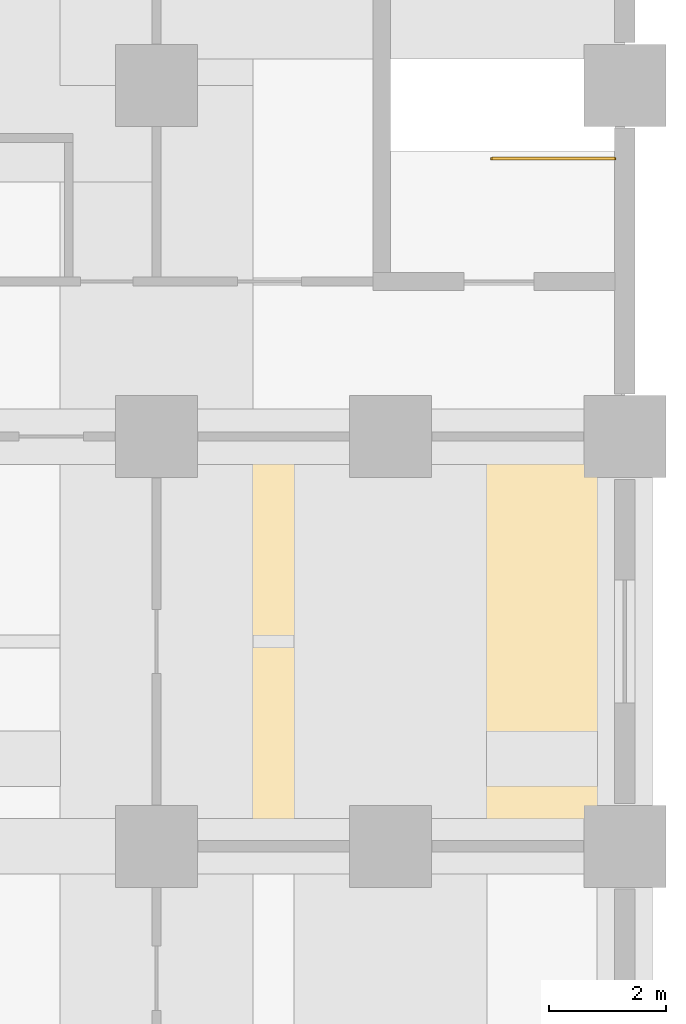
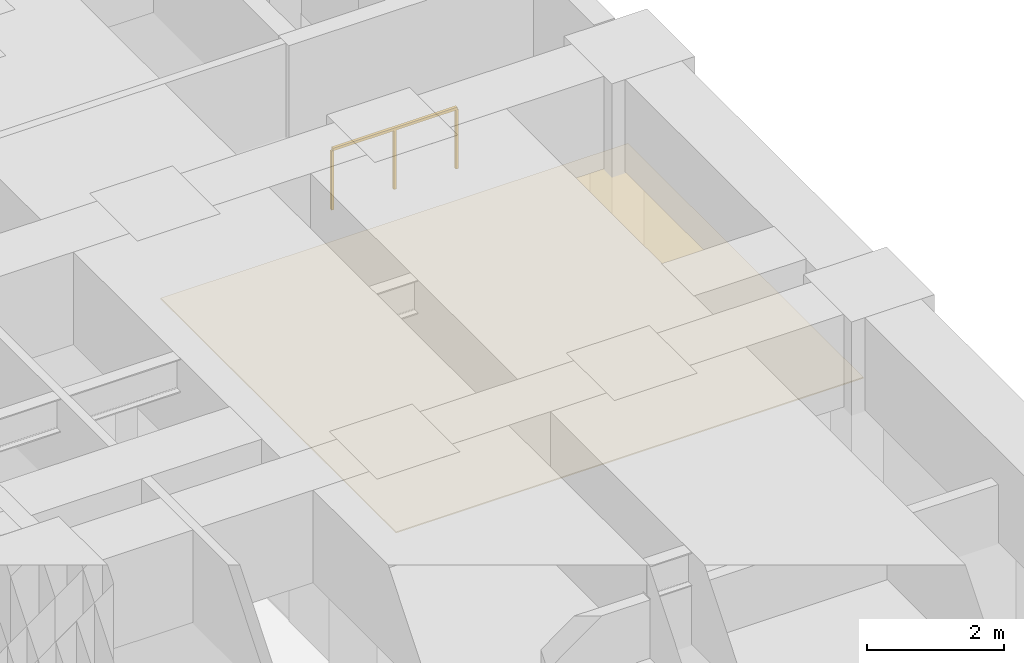
# One storey, part 22 of 22: 1 covering, 1 railing.
"""IFC4 building model written with IfcOpenShell, lengths in metres."""

from ifc_helpers import new_model, si_unit, direction, frame, origin, origin_2d, place, context, subcontext, project, spatial, polyline, rectangle, outline, extrude, material, layer, layer_set, type_object, element, save


model = new_model("IFC4")

# Units and contexts
model_context = context("Model", 3, precision=1e-05, world=origin(), true_north=direction((0.0, 1.0)))
body_context = subcontext(model_context, "Body", "Model", "MODEL_VIEW")
ifc_project = project(units=[si_unit("LENGTHUNIT", "METRE"), si_unit("AREAUNIT", "SQUARE_METRE"), si_unit("VOLUMEUNIT", "CUBIC_METRE"), si_unit("PLANEANGLEUNIT", "RADIAN"), si_unit("MASSUNIT", "GRAM", prefix="KILO")], contexts=[model_context])

# Site, building, storey
site_placement = place(None, origin())
site = spatial("IfcSite", under=ifc_project, at=site_placement, CompositionType="ELEMENT")
building_placement = place(site_placement, origin())
building = spatial("IfcBuilding", under=site, at=building_placement, Name="Zulmaris Gate Convention Tower", CompositionType="ELEMENT")
storey_placement = place(building_placement, frame((0.0, 0.0, 21.760009765625)))
storey = spatial("IfcBuildingStorey", under=building, at=storey_placement, Name="L04", CompositionType="ELEMENT", Elevation=21.760009765625)

# Covering
ifc_material_1 = material(Name="Mineral Fibre Acoustic Ceiling Tile")
ifc_layer = layer(ifc_material_1, 0.02001953125, Name="Mineral Fibre Acoustic Ceiling Tile")
ifc_layer_set = layer_set([ifc_layer], Name="Mineral Fibre Acoustic Ceiling Tile")
covering_type = type_object("IfcCoveringType", Name="CLG-ACOUSTIC-600", PredefinedType="CEILING", material=ifc_layer_set)
covering_placement = place(storey_placement, frame((0.0, 0.0, 3.300048828125)))
element("IfcCovering", 1, at=covering_placement, inside=storey, type_object=covering_type, Name="CLG-L04-R79", PredefinedType="CEILING", context=body_context, shape_type="SweptSolid", body=[
    extrude(outline(polyline([(26.06005859375, 9.06005859375), (33.93994140625, 9.06005859375), (33.93994140625, 15.93994140625), (26.06005859375, 15.93994140625), (26.06005859375, 9.06005859375)])), origin(), (0.0, 0.0, 1.0), 0.02001953125),
])

# Railing
ifc_material_2 = material(Name="Painted Galvanised Steel", Category="steel")
railing_type = type_object("IfcRailingType", Name="RL-STG-1150", PredefinedType="GUARDRAIL", material=ifc_material_2)
railing_placement = place(storey_placement, frame((33.830078125, 20.75, 0.0)))
element("IfcRailing", 2, at=railing_placement, inside=storey, type_object=railing_type, Name="L04 ST-5 top well guard 1", PredefinedType="GUARDRAIL", context=body_context, shape_type="SweptSolid", body=[
    extrude(rectangle(XDim=0.048095703125, YDim=0.048095703125, at=origin_2d()), frame((0.0, 0.0, 1.076171875), z_axis=(-1.0, 0.0, 0.0), x_axis=(0.0, -1.0, 0.0)), (0.0, 0.0, 1.0), 2.10009765625),
    extrude(rectangle(XDim=0.0419921875, YDim=0.0419921875, at=origin_2d()), origin(), (0.0, 0.0, 1.0), 1.052001953125),
    extrude(rectangle(XDim=0.0419921875, YDim=0.0419921875, at=origin_2d()), frame((-1.050048828125, 0.0, 0.0)), (0.0, 0.0, 1.0), 1.052001953125),
    extrude(rectangle(XDim=0.0419921875, YDim=0.0419921875, at=origin_2d()), frame((-2.10009765625, 0.0, 0.0)), (0.0, 0.0, 1.0), 1.052001953125),
])

save(model, "model.ifc")
